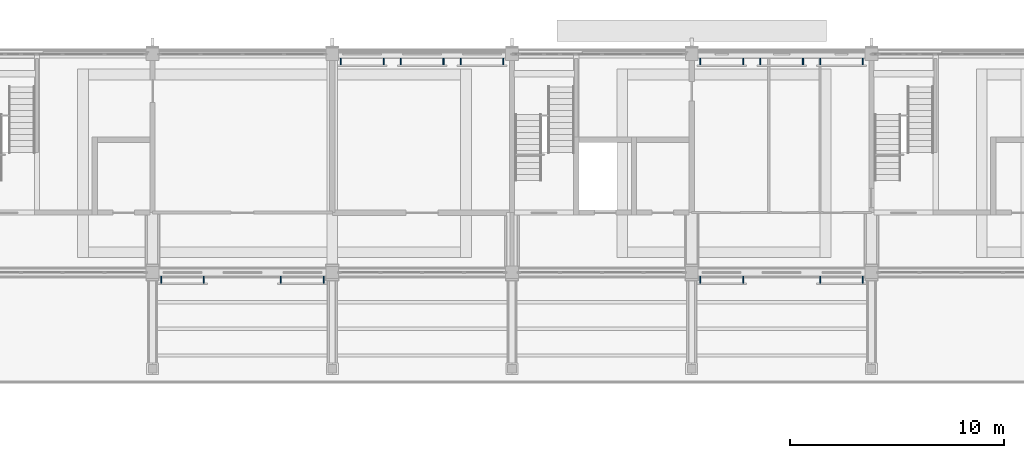
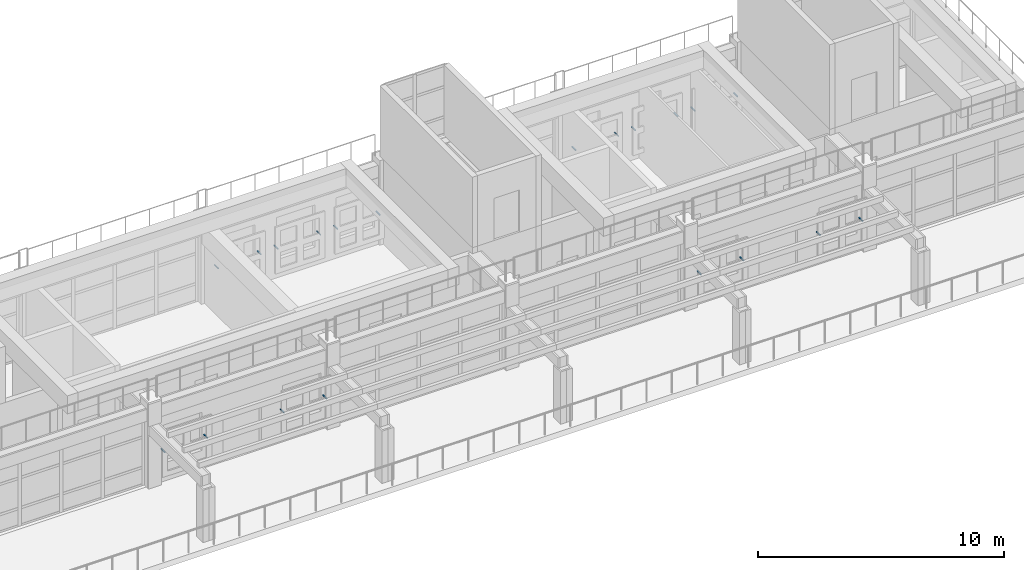
# One storey, part 82 of 105: 20 discrete accessories.
"""IFC4 building model written with IfcOpenShell, lengths in metres."""

from ifc_helpers import new_model, si_unit, direction, frame, origin, origin_2d, place, context, subcontext, project, spatial, rectangle, extrude, material, type_object, element, save


model = new_model("IFC4")

# Units and contexts
model_context = context("Model", 3, precision=1e-05, world=origin(), true_north=direction((0.0, 1.0)))
body_context = subcontext(model_context, "Body", "Model", "MODEL_VIEW")
ifc_project = project(units=[si_unit("LENGTHUNIT", "METRE"), si_unit("AREAUNIT", "SQUARE_METRE"), si_unit("VOLUMEUNIT", "CUBIC_METRE"), si_unit("PLANEANGLEUNIT", "RADIAN"), si_unit("MASSUNIT", "GRAM", prefix="KILO")], contexts=[model_context])

# Site, building, storey
site_placement = place(None, origin())
site = spatial("IfcSite", under=ifc_project, at=site_placement, CompositionType="ELEMENT")
building_placement = place(site_placement, origin())
building = spatial("IfcBuilding", under=site, at=building_placement, Name="Wasatch Bagh Community Centre", CompositionType="ELEMENT")
storey_placement = place(building_placement, frame((0.0, 0.0, 16.800048828125)))
storey = spatial("IfcBuildingStorey", under=building, at=storey_placement, Name="L04", CompositionType="ELEMENT", Elevation=16.800048828125)

# Discrete accessories
ifc_material = material(Name="Galvanised steel", Category="steel")
discrete_accessory_type = type_object("IfcDiscreteAccessoryType", Name="LW jali bracket", PredefinedType="BRACKET", material=ifc_material)
for number, where, z_axis, x_axis, name in (
    (1, (89.60009765625, 87.260009765625, 1.634765625), (0.0, 0.0, 1.0), (1.0, 0.0, 0.0), "Jali bracket"),
    (2, (91.60009765625, 87.260009765625, 1.634765625), (0.0, 0.0, 1.0), (1.0, 0.0, 0.0), "Jali bracket"),
    (3, (95.199951171875, 87.260009765625, 1.634765625), (0.0, 0.0, 1.0), (1.0, 0.0, 0.0), "Jali bracket"),
    (4, (97.199951171875, 87.260009765625, 1.634765625), (0.0, 0.0, 1.0), (1.0, 0.0, 0.0), "Jali bracket"),
    (5, (114.800048828125, 87.260009765625, 1.634765625), (0.0, 0.0, 1.0), (1.0, 0.0, 0.0), "Jali bracket"),
    (6, (116.800048828125, 87.260009765625, 1.634765625), (0.0, 0.0, 1.0), (1.0, 0.0, 0.0), "Jali bracket"),
    (7, (120.39990234375, 87.260009765625, 1.634765625), (0.0, 0.0, 1.0), (1.0, 0.0, 0.0), "Jali bracket"),
    (8, (122.39990234375, 87.260009765625, 1.634765625), (0.0, 0.0, 1.0), (1.0, 0.0, 0.0), "Jali bracket"),
    (9, (98.0, 97.4599609375, 1.634765625), (0.0, 0.0, 1.0), (1.0, 0.0, 0.0), "Jali bracket"),
    (10, (100.0, 97.4599609375, 1.634765625), (0.0, 0.0, 1.0), (1.0, 0.0, 0.0), "Jali bracket"),
    (11, (100.800048828125, 97.4599609375, 1.634765625), (0.0, 0.0, 1.0), (1.0, 0.0, 0.0), "Jali bracket"),
    (12, (102.800048828125, 97.4599609375, 1.634765625), (0.0, 0.0, 1.0), (1.0, 0.0, 0.0), "Jali bracket"),
    (13, (103.60009765625, 97.4599609375, 1.634765625), (0.0, 0.0, 1.0), (1.0, 0.0, 0.0), "Jali bracket"),
    (14, (105.60009765625, 97.4599609375, 1.634765625), (0.0, 0.0, 1.0), (1.0, 0.0, 0.0), "Jali bracket"),
    (15, (114.800048828125, 97.4599609375, 1.634765625), (0.0, 0.0, 1.0), (1.0, 0.0, 0.0), "Jali bracket"),
    (16, (116.800048828125, 97.4599609375, 1.634765625), (0.0, 0.0, 1.0), (1.0, 0.0, 0.0), "Jali bracket"),
    (17, (117.60009765625, 97.4599609375, 1.634765625), (0.0, 0.0, 1.0), (1.0, 0.0, 0.0), "Jali bracket"),
    (18, (119.60009765625, 97.4599609375, 1.634765625), (0.0, 0.0, 1.0), (1.0, 0.0, 0.0), "Jali bracket"),
    (19, (120.39990234375, 97.4599609375, 1.634765625), (0.0, 0.0, 1.0), (1.0, 0.0, 0.0), "Jali bracket"),
    (20, (122.39990234375, 97.4599609375, 1.634765625), (0.0, 0.0, 1.0), (1.0, 0.0, 0.0), "Jali bracket"),
):
    element("IfcDiscreteAccessory", number, at=place(storey_placement, frame(where, z_axis=z_axis, x_axis=x_axis)), inside=storey, type_object=discrete_accessory_type, Name=name, PredefinedType="BRACKET", context=body_context, shape_type="SweptSolid", body=[
        extrude(rectangle(XDim=0.050048828125, YDim=0.320068359375, at=origin_2d()), origin(), (0.0, 0.0, 1.0), 0.050048828125),
    ])

save(model, "model.ifc")
